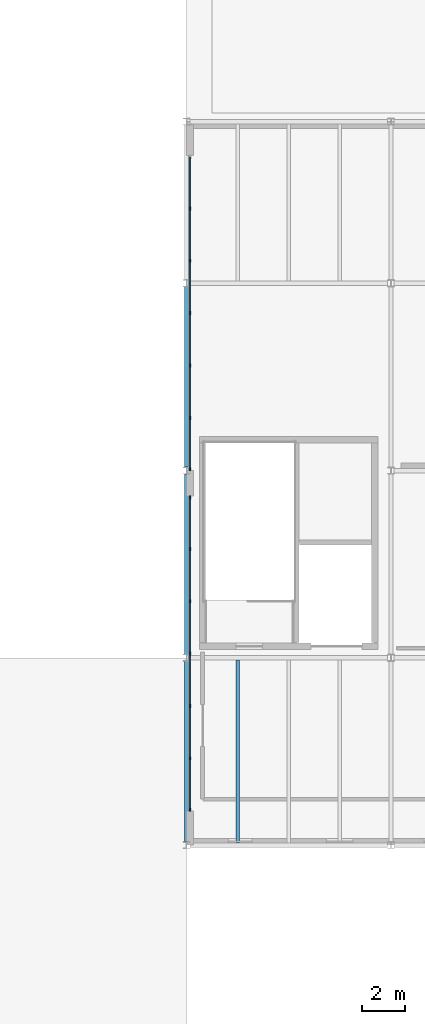
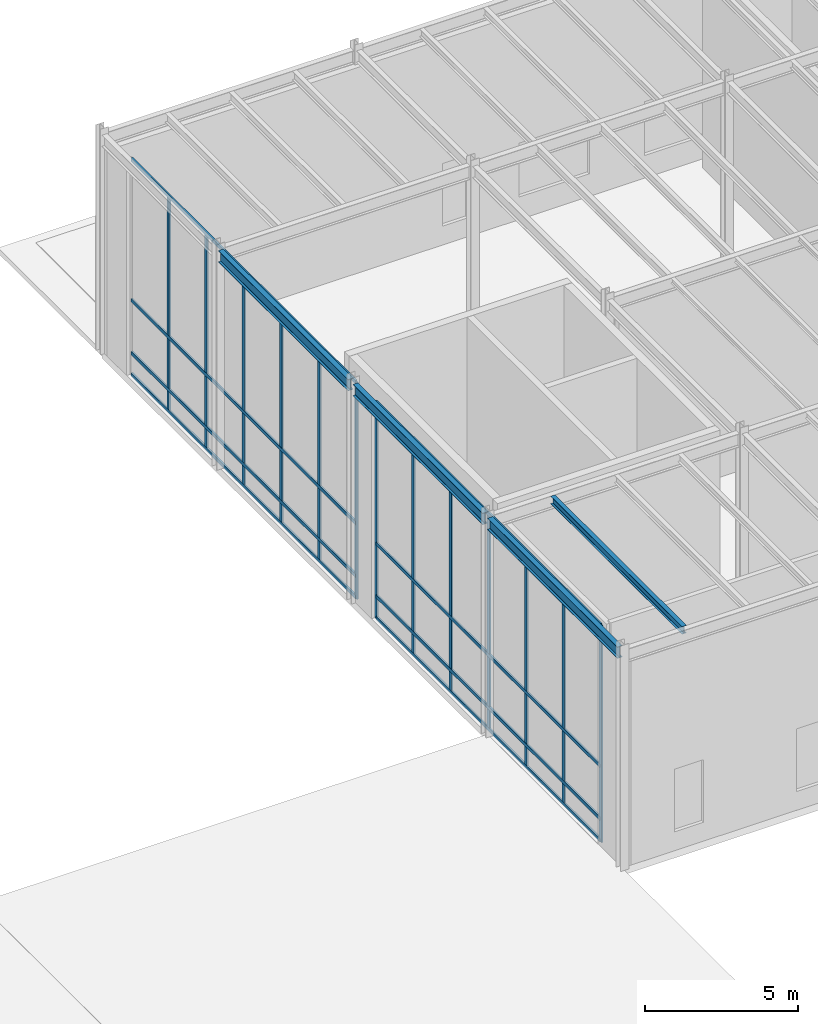
# One storey, part 11 of 48: 21 members, 4 beams, 2 elements without a shape of their own.
"""IFC4 building model written with IfcOpenShell, lengths in metres."""

from ifc_helpers import new_model, si_unit, direction, frame, origin, origin_2d, place, context, subcontext, project, spatial, rectangle, i_section, extrude, material, material_profile, profile_set, type_object, element, aggregate, save


model = new_model("IFC4")

# Units and contexts
model_context = context("Model", 3, precision=1e-05, world=origin(), true_north=direction((0.0, 1.0)))
body_context = subcontext(model_context, "Body", "Model", "MODEL_VIEW")
ifc_project = project(units=[si_unit("LENGTHUNIT", "METRE"), si_unit("AREAUNIT", "SQUARE_METRE"), si_unit("VOLUMEUNIT", "CUBIC_METRE"), si_unit("PLANEANGLEUNIT", "RADIAN"), si_unit("MASSUNIT", "GRAM", prefix="KILO")], contexts=[model_context])

# Site, building, storey
site_placement = place(None, origin())
site = spatial("IfcSite", under=ifc_project, at=site_placement, CompositionType="ELEMENT")
building_placement = place(site_placement, origin())
building = spatial("IfcBuilding", under=site, at=building_placement, Name="Sarnbrook Museum", CompositionType="ELEMENT")
storey_placement = place(building_placement, frame((0.0, 0.0, 19.10009765625)))
storey = spatial("IfcBuildingStorey", under=building, at=storey_placement, Name="L04", CompositionType="ELEMENT", Elevation=19.10009765625)

# Beams
ifc_material_1 = material(Name="Structural Steel Grade 300PLUS (AS/NZS 3679.1, fy = 280 MPa for 17 < t <= 40 mm, 300 MPa for t <= 17 mm)", Category="steel")
ifc_material_profile_1 = material_profile(ifc_material_1, i_section(OverallWidth=0.18994140625, OverallDepth=0.45703125, WebThickness=0.009033203125, FlangeThickness=0.014404296875, FilletRadius=0.011474609375, at=origin_2d()), Name="460UB74.6")
ifc_profile_set_1 = profile_set([ifc_material_profile_1], Name="Structural Steel Grade 300PLUS (AS/NZS 3679.1, fy = 280 MPa for 17 < t <= 40 mm, 300 MPa for t <= 17 mm)")
beam_type_1 = type_object("IfcBeamType", Name="BM-UB460", PredefinedType="BEAM", material=ifc_profile_set_1)
beam_1_placement = place(storey_placement, frame((42.39990234375, 74.5576171875, 8.521484375), z_axis=(0.0, 1.0, 0.0), x_axis=(-1.0, 0.0, 0.0)))
element("IfcBeam", 1, at=beam_1_placement, inside=storey, type_object=beam_type_1, Name="Girder 5:J-K L04", PredefinedType="BEAM", context=body_context, shape_type="SweptSolid", body=[
    extrude(i_section(OverallWidth=0.18994140625, OverallDepth=0.45703125, WebThickness=0.009033203125, FlangeThickness=0.014404296875, FilletRadius=0.011474609375, at=origin_2d()), origin(), (0.0, 0.0, 1.0), 8.48486328125),
])
for number, where, z_axis, x_axis, name in (
    (2, (42.39990234375, 83.357421875, 8.521484375), (0.0, 1.0, 0.0), (-1.0, 0.0, 0.0), "Girder 5:K-L L04"),
    (3, (42.39990234375, 92.157470703125, 8.521484375), (0.0, 1.0, 0.0), (-1.0, 0.0, 0.0), "Girder 5:L-M L04"),
):
    element("IfcBeam", number, at=place(storey_placement, frame(where, z_axis=z_axis, x_axis=x_axis)), inside=storey, type_object=beam_type_1, Name=name, PredefinedType="BEAM", context=body_context, shape_type="SweptSolid", body=[
        extrude(i_section(OverallWidth=0.18994140625, OverallDepth=0.45703125, WebThickness=0.009033203125, FlangeThickness=0.014404296875, FilletRadius=0.011474609375, at=origin_2d()), origin(), (0.0, 0.0, 1.0), 8.485107421875),
    ])

# Curtain wall, members
ifc_material_2 = material(Name="Thermally Broken Anodised Aluminium 6063-T6", Category="aluminium")
curtain_wall_type = type_object("IfcCurtainWallType", Name="CurtainWall_GalleryRibbon", PredefinedType="NOTDEFINED", material=ifc_material_2)
curtain_wall_1_placement = place(storey_placement, origin())
curtain_wall_1 = element("IfcCurtainWall", 4, at=curtain_wall_1_placement, inside=storey, type_object=curtain_wall_type, Name="Gallery Ribbon Curtain Wall L04-2.1", PredefinedType="NOTDEFINED")
ifc_material_profile_2 = material_profile(ifc_material_2, rectangle(XDim=0.06005859375, YDim=0.159912109375, at=origin_2d()), Name="ALU MULLION 60x160")
ifc_profile_set_2 = profile_set([ifc_material_profile_2], Name="Thermally Broken Anodised Aluminium 6063-T6")
member_type_1 = type_object("IfcMemberType", Name="CW_Mullion_150x65", PredefinedType="MULLION", material=ifc_profile_set_2)
member_1_placement = place(storey_placement, frame((42.56005859375, 104.320068359375, 0.0), z_axis=(0.0, 0.0, 1.0), x_axis=(1.0, 0.0, 0.0)))
member_1 = element("IfcMember", 5, at=member_1_placement, type_object=member_type_1, Name="Gallery Ribbon Curtain Wall L04-2.1 Mullion 2", PredefinedType="MULLION", context=body_context, shape_type="SweptSolid", body=[
    extrude(rectangle(XDim=0.06005859375, YDim=0.159912109375, at=origin_2d()), origin(), (0.0, 0.0, 1.0), 8.659912109375),
])
member_2_placement = place(storey_placement, frame((42.56005859375, 101.860107421875, 0.0), z_axis=(0.0, 0.0, 1.0), x_axis=(1.0, 0.0, 0.0)))
member_2 = element("IfcMember", 6, at=member_2_placement, type_object=member_type_1, Name="Gallery Ribbon Curtain Wall L04-2.1 Mullion 3", PredefinedType="MULLION", context=body_context, shape_type="SweptSolid", body=[
    extrude(rectangle(XDim=0.06005859375, YDim=0.159912109375, at=origin_2d()), origin(), (0.0, 0.0, 1.0), 8.659912109375),
])
member_3_placement = place(storey_placement, frame((42.56005859375, 99.39990234375, 0.0), z_axis=(0.0, 0.0, 1.0), x_axis=(1.0, 0.0, 0.0)))
member_3 = element("IfcMember", 7, at=member_3_placement, type_object=member_type_1, Name="Gallery Ribbon Curtain Wall L04-2.1 Mullion 4", PredefinedType="MULLION", context=body_context, shape_type="SweptSolid", body=[
    extrude(rectangle(XDim=0.06005859375, YDim=0.159912109375, at=origin_2d()), origin(), (0.0, 0.0, 1.0), 8.659912109375),
])
member_4_placement = place(storey_placement, frame((42.56005859375, 96.93994140625, 0.0), z_axis=(0.0, 0.0, 1.0), x_axis=(1.0, 0.0, 0.0)))
member_4 = element("IfcMember", 8, at=member_4_placement, type_object=member_type_1, Name="Gallery Ribbon Curtain Wall L04-2.1 Mullion 5", PredefinedType="MULLION", context=body_context, shape_type="SweptSolid", body=[
    extrude(rectangle(XDim=0.06005859375, YDim=0.159912109375, at=origin_2d()), origin(), (0.0, 0.0, 1.0), 8.659912109375),
])
member_5_placement = place(storey_placement, frame((42.56005859375, 94.47998046875, 0.0), z_axis=(0.0, 0.0, 1.0), x_axis=(1.0, 0.0, 0.0)))
member_5 = element("IfcMember", 9, at=member_5_placement, type_object=member_type_1, Name="Gallery Ribbon Curtain Wall L04-2.1 Mullion 6", PredefinedType="MULLION", context=body_context, shape_type="SweptSolid", body=[
    extrude(rectangle(XDim=0.06005859375, YDim=0.159912109375, at=origin_2d()), origin(), (0.0, 0.0, 1.0), 8.659912109375),
])
member_6_placement = place(storey_placement, frame((42.56005859375, 92.06005859375, 0.0), z_axis=(0.0, 0.0, 1.0), x_axis=(1.0, 0.0, 0.0)))
member_6 = element("IfcMember", 10, at=member_6_placement, type_object=member_type_1, Name="Gallery Ribbon Curtain Wall L04-2.1 Mullion 7", PredefinedType="MULLION", context=body_context, shape_type="SweptSolid", body=[
    extrude(rectangle(XDim=0.06005859375, YDim=0.159912109375, at=origin_2d()), origin(), (0.0, 0.0, 1.0), 8.659912109375),
])

curtain_wall_2_placement = place(storey_placement, origin())
curtain_wall_2 = element("IfcCurtainWall", 11, at=curtain_wall_2_placement, inside=storey, type_object=curtain_wall_type, Name="Gallery Ribbon Curtain Wall L04-2.2", PredefinedType="NOTDEFINED")
member_7_placement = place(storey_placement, frame((42.56005859375, 90.739990234375, 0.0), z_axis=(0.0, 0.0, 1.0), x_axis=(1.0, 0.0, 0.0)))
member_7 = element("IfcMember", 12, at=member_7_placement, type_object=member_type_1, Name="Gallery Ribbon Curtain Wall L04-2.2 Mullion 1", PredefinedType="MULLION", context=body_context, shape_type="SweptSolid", body=[
    extrude(rectangle(XDim=0.06005859375, YDim=0.159912109375, at=origin_2d()), origin(), (0.0, 0.0, 1.0), 8.659912109375),
])
member_8_placement = place(storey_placement, frame((42.56005859375, 88.320068359375, 0.0), z_axis=(0.0, 0.0, 1.0), x_axis=(1.0, 0.0, 0.0)))
member_8 = element("IfcMember", 13, at=member_8_placement, type_object=member_type_1, Name="Gallery Ribbon Curtain Wall L04-2.2 Mullion 2", PredefinedType="MULLION", context=body_context, shape_type="SweptSolid", body=[
    extrude(rectangle(XDim=0.06005859375, YDim=0.159912109375, at=origin_2d()), origin(), (0.0, 0.0, 1.0), 8.659912109375),
])
member_9_placement = place(storey_placement, frame((42.56005859375, 85.860107421875, 0.0), z_axis=(0.0, 0.0, 1.0), x_axis=(1.0, 0.0, 0.0)))
member_9 = element("IfcMember", 14, at=member_9_placement, type_object=member_type_1, Name="Gallery Ribbon Curtain Wall L04-2.2 Mullion 3", PredefinedType="MULLION", context=body_context, shape_type="SweptSolid", body=[
    extrude(rectangle(XDim=0.06005859375, YDim=0.159912109375, at=origin_2d()), origin(), (0.0, 0.0, 1.0), 8.659912109375),
])
member_10_placement = place(storey_placement, frame((42.56005859375, 83.39990234375, 0.0), z_axis=(0.0, 0.0, 1.0), x_axis=(1.0, 0.0, 0.0)))
member_10 = element("IfcMember", 15, at=member_10_placement, type_object=member_type_1, Name="Gallery Ribbon Curtain Wall L04-2.2 Mullion 4", PredefinedType="MULLION", context=body_context, shape_type="SweptSolid", body=[
    extrude(rectangle(XDim=0.06005859375, YDim=0.159912109375, at=origin_2d()), origin(), (0.0, 0.0, 1.0), 8.659912109375),
])
member_11_placement = place(storey_placement, frame((42.56005859375, 80.93994140625, 0.0), z_axis=(0.0, 0.0, 1.0), x_axis=(1.0, 0.0, 0.0)))
member_11 = element("IfcMember", 16, at=member_11_placement, type_object=member_type_1, Name="Gallery Ribbon Curtain Wall L04-2.2 Mullion 5", PredefinedType="MULLION", context=body_context, shape_type="SweptSolid", body=[
    extrude(rectangle(XDim=0.06005859375, YDim=0.159912109375, at=origin_2d()), origin(), (0.0, 0.0, 1.0), 8.659912109375),
])
member_12_placement = place(storey_placement, frame((42.56005859375, 78.47998046875, 0.0), z_axis=(0.0, 0.0, 1.0), x_axis=(1.0, 0.0, 0.0)))
member_12 = element("IfcMember", 17, at=member_12_placement, type_object=member_type_1, Name="Gallery Ribbon Curtain Wall L04-2.2 Mullion 6", PredefinedType="MULLION", context=body_context, shape_type="SweptSolid", body=[
    extrude(rectangle(XDim=0.06005859375, YDim=0.159912109375, at=origin_2d()), origin(), (0.0, 0.0, 1.0), 8.659912109375),
])
member_13_placement = place(storey_placement, frame((42.56005859375, 76.06005859375, 0.0), z_axis=(0.0, 0.0, 1.0), x_axis=(1.0, 0.0, 0.0)))
member_13 = element("IfcMember", 18, at=member_13_placement, type_object=member_type_1, Name="Gallery Ribbon Curtain Wall L04-2.2 Mullion 7", PredefinedType="MULLION", context=body_context, shape_type="SweptSolid", body=[
    extrude(rectangle(XDim=0.06005859375, YDim=0.159912109375, at=origin_2d()), origin(), (0.0, 0.0, 1.0), 8.659912109375),
])

# Member
ifc_material_profile_3 = material_profile(ifc_material_2, rectangle(XDim=0.06494140625, YDim=0.139892578125, at=origin_2d()), Name="ALU TRANSOM 65x140")
ifc_profile_set_3 = profile_set([ifc_material_profile_3], Name="Thermally Broken Anodised Aluminium 6063-T6")
member_type_2 = type_object("IfcMemberType", Name="CW_Transom_150x65", PredefinedType="USERDEFINED", material=ifc_profile_set_3)
member_14_placement = place(storey_placement, frame((42.56005859375, 106.72998046875, 0.039794921875), z_axis=(0.0, -1.0, 0.0), x_axis=(1.0, 0.0, 0.0)))
member_14 = element("IfcMember", 19, at=member_14_placement, type_object=member_type_2, Name="Gallery Ribbon Curtain Wall L04-2.1 Transom 1", ObjectType="TRANSOM", PredefinedType="USERDEFINED", context=body_context, shape_type="SweptSolid", body=[
    extrude(rectangle(XDim=0.06494140625, YDim=0.139892578125, at=origin_2d()), origin(), (0.0, 0.0, 1.0), 14.659912109375),
])

member_15_placement = place(storey_placement, frame((42.56005859375, 106.72998046875, 0.89990234375), z_axis=(0.0, -1.0, 0.0), x_axis=(1.0, 0.0, 0.0)))
member_15 = element("IfcMember", 20, at=member_15_placement, type_object=member_type_2, Name="Gallery Ribbon Curtain Wall L04-2.1 Transom 2", ObjectType="TRANSOM", PredefinedType="USERDEFINED", context=body_context, shape_type="SweptSolid", body=[
    extrude(rectangle(XDim=0.06494140625, YDim=0.139892578125, at=origin_2d()), origin(), (0.0, 0.0, 1.0), 14.659912109375),
])

member_16_placement = place(storey_placement, frame((42.56005859375, 106.72998046875, 3.0), z_axis=(0.0, -1.0, 0.0), x_axis=(1.0, 0.0, 0.0)))
member_16 = element("IfcMember", 21, at=member_16_placement, type_object=member_type_2, Name="Gallery Ribbon Curtain Wall L04-2.1 Transom 3", ObjectType="TRANSOM", PredefinedType="USERDEFINED", context=body_context, shape_type="SweptSolid", body=[
    extrude(rectangle(XDim=0.06494140625, YDim=0.139892578125, at=origin_2d()), origin(), (0.0, 0.0, 1.0), 14.659912109375),
])

member_17_placement = place(storey_placement, frame((42.56005859375, 106.72998046875, 8.619873046875), z_axis=(0.0, -1.0, 0.0), x_axis=(1.0, 0.0, 0.0)))
member_17 = element("IfcMember", 22, at=member_17_placement, type_object=member_type_2, Name="Gallery Ribbon Curtain Wall L04-2.1 Transom 4", ObjectType="TRANSOM", PredefinedType="USERDEFINED", context=body_context, shape_type="SweptSolid", body=[
    extrude(rectangle(XDim=0.06494140625, YDim=0.139892578125, at=origin_2d()), origin(), (0.0, 0.0, 1.0), 14.659912109375),
])

aggregate(curtain_wall_1, [member_1, member_2, member_3, member_4, member_5, member_6, member_14, member_15, member_16, member_17])

member_18_placement = place(storey_placement, frame((42.56005859375, 90.72998046875, 0.039794921875), z_axis=(0.0, -1.0, 0.0), x_axis=(1.0, 0.0, 0.0)))
member_18 = element("IfcMember", 23, at=member_18_placement, type_object=member_type_2, Name="Gallery Ribbon Curtain Wall L04-2.2 Transom 1", ObjectType="TRANSOM", PredefinedType="USERDEFINED", context=body_context, shape_type="SweptSolid", body=[
    extrude(rectangle(XDim=0.06494140625, YDim=0.139892578125, at=origin_2d()), origin(), (0.0, 0.0, 1.0), 14.659912109375),
])

member_19_placement = place(storey_placement, frame((42.56005859375, 90.72998046875, 0.89990234375), z_axis=(0.0, -1.0, 0.0), x_axis=(1.0, 0.0, 0.0)))
member_19 = element("IfcMember", 24, at=member_19_placement, type_object=member_type_2, Name="Gallery Ribbon Curtain Wall L04-2.2 Transom 2", ObjectType="TRANSOM", PredefinedType="USERDEFINED", context=body_context, shape_type="SweptSolid", body=[
    extrude(rectangle(XDim=0.06494140625, YDim=0.139892578125, at=origin_2d()), origin(), (0.0, 0.0, 1.0), 14.659912109375),
])

member_20_placement = place(storey_placement, frame((42.56005859375, 90.72998046875, 3.0), z_axis=(0.0, -1.0, 0.0), x_axis=(1.0, 0.0, 0.0)))
member_20 = element("IfcMember", 25, at=member_20_placement, type_object=member_type_2, Name="Gallery Ribbon Curtain Wall L04-2.2 Transom 3", ObjectType="TRANSOM", PredefinedType="USERDEFINED", context=body_context, shape_type="SweptSolid", body=[
    extrude(rectangle(XDim=0.06494140625, YDim=0.139892578125, at=origin_2d()), origin(), (0.0, 0.0, 1.0), 14.659912109375),
])

member_21_placement = place(storey_placement, frame((42.56005859375, 90.72998046875, 8.619873046875), z_axis=(0.0, -1.0, 0.0), x_axis=(1.0, 0.0, 0.0)))
member_21 = element("IfcMember", 26, at=member_21_placement, type_object=member_type_2, Name="Gallery Ribbon Curtain Wall L04-2.2 Transom 4", ObjectType="TRANSOM", PredefinedType="USERDEFINED", context=body_context, shape_type="SweptSolid", body=[
    extrude(rectangle(XDim=0.06494140625, YDim=0.139892578125, at=origin_2d()), origin(), (0.0, 0.0, 1.0), 14.659912109375),
])

aggregate(curtain_wall_2, [member_7, member_8, member_9, member_10, member_11, member_12, member_13, member_18, member_19, member_20, member_21])

# Beam
ifc_material_profile_4 = material_profile(ifc_material_1, i_section(OverallWidth=0.1650390625, OverallDepth=0.303955078125, WebThickness=0.006103515625, FlangeThickness=0.01025390625, FilletRadius=0.011474609375, at=origin_2d()), Name="310UB40.4")
ifc_profile_set_4 = profile_set([ifc_material_profile_4], Name="Structural Steel Grade 300PLUS (AS/NZS 3679.1, fy = 280 MPa for 17 < t <= 40 mm, 300 MPa for t <= 17 mm)")
beam_type_2 = type_object("IfcBeamType", Name="JS-UB310", PredefinedType="JOIST", material=ifc_profile_set_4)
beam_2_placement = place(storey_placement, frame((44.800048828125, 74.50439453125, 8.597900390625), z_axis=(0.0, 1.0, 0.0), x_axis=(-1.0, 0.0, 0.0)))
element("IfcBeam", 27, at=beam_2_placement, inside=storey, type_object=beam_type_2, Name="Composite Floor Joist 5J-1 L04", PredefinedType="JOIST", context=body_context, shape_type="SweptSolid", body=[
    extrude(i_section(OverallWidth=0.1650390625, OverallDepth=0.303955078125, WebThickness=0.006103515625, FlangeThickness=0.01025390625, FilletRadius=0.011474609375, at=origin_2d()), origin(), (0.0, 0.0, 1.0), 8.591064453125),
])

save(model, "model.ifc")
